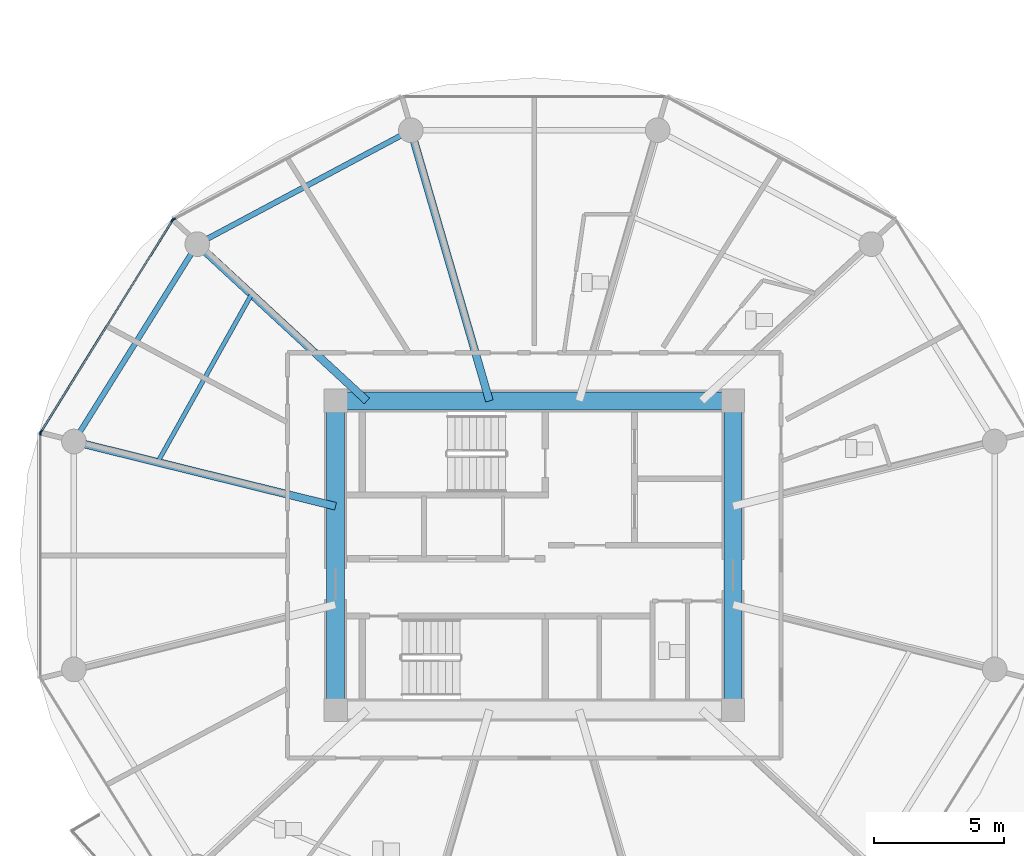
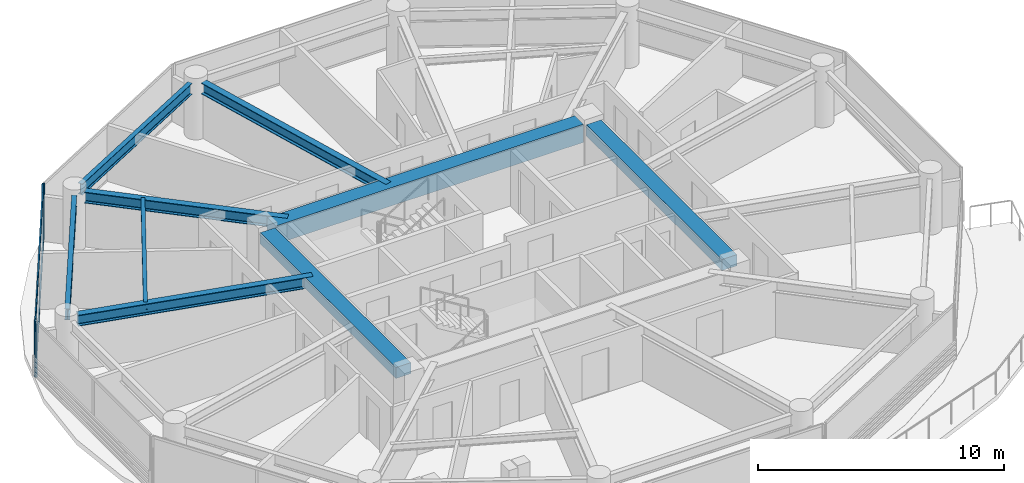
# One storey, part 4 of 27: 9 beams, 6 members, 3 elements without a shape of their own.
"""IFC4 building model written with IfcOpenShell, lengths in metres."""

from ifc_helpers import new_model, si_unit, direction, frame, origin, origin_2d, place, context, subcontext, project, spatial, rectangle, i_section, extrude, source, transform, mapped, material, layer, layer_set, material_profile, profile_set, type_object, type_shapes, element, aggregate, save


model = new_model("IFC4")

# Units and contexts
model_context = context("Model", 3, precision=1e-05, world=origin(), true_north=direction((0.0, 1.0)))
body_context = subcontext(model_context, "Body", "Model", "MODEL_VIEW")
ifc_project = project(units=[si_unit("LENGTHUNIT", "METRE"), si_unit("AREAUNIT", "SQUARE_METRE"), si_unit("VOLUMEUNIT", "CUBIC_METRE"), si_unit("PLANEANGLEUNIT", "RADIAN"), si_unit("MASSUNIT", "GRAM", prefix="KILO")], contexts=[model_context])

# Site, building, storey
site_placement = place(None, origin())
site = spatial("IfcSite", under=ifc_project, at=site_placement, CompositionType="ELEMENT")
building_placement = place(site_placement, origin())
building = spatial("IfcBuilding", under=site, at=building_placement, Name="Norrkilde Senior Care Towers", CompositionType="ELEMENT")
storey_placement = place(building_placement, frame((0.0, 0.0, 52.10009765625)))
storey = spatial("IfcBuildingStorey", under=building, at=storey_placement, Name="L15", CompositionType="ELEMENT", Elevation=52.10009765625)

# Beams
ifc_material_1 = material(Name="Concrete C60/75", Category="concrete")
ifc_material_profile_1 = material_profile(ifc_material_1, rectangle(XDim=0.699951171875, YDim=0.89990234375, at=origin_2d()), Name="RC BM 700x900")
ifc_profile_set_1 = profile_set([ifc_material_profile_1], Name="Concrete C60/75")
beam_type_1 = type_object("IfcBeamType", Name="Core Coupling Girder 700x900", PredefinedType="USERDEFINED", material=ifc_profile_set_1)
shared_shape_1 = source(origin(), body_context, "Body", "SweptSolid", [
    extrude(rectangle(XDim=0.699951171875, YDim=0.89990234375, at=origin_2d()), origin(), (0.0, 0.0, 1.0), 14.43994140625),
])
type_shapes(beam_type_1, [shared_shape_1])
beam_1_placement = place(storey_placement, frame((-35.219970703125, 5.949951171875, 2.33984375), z_axis=(1.0, 0.0, 0.0), x_axis=(0.0, 1.0, 0.0)))
element("IfcBeam", 1, at=beam_1_placement, inside=storey, type_object=beam_type_1, Name="L15 Core W N Coupling Girder", ObjectType="GIRDER", PredefinedType="USERDEFINED", context=body_context, shape_type="MappedRepresentation", body=[
    mapped(shared_shape_1, transform((0.0, 0.0, 0.0), x_axis=(1.0, 0.0, 0.0), y_axis=(0.0, 1.0, 0.0), z_axis=(0.0, 0.0, 1.0), scale=1.0)),
])
ifc_material_profile_2 = material_profile(ifc_material_1, rectangle(XDim=0.699951171875, YDim=0.550048828125, at=origin_2d()), Name="RC BM 700x550")
ifc_profile_set_2 = profile_set([ifc_material_profile_2], Name="Concrete C60/75")
beam_type_2 = type_object("IfcBeamType", Name="Core Portal Coupling Beam 700x550", PredefinedType="USERDEFINED", material=ifc_profile_set_2)
shared_shape_2 = source(origin(), body_context, "Body", "SweptSolid", [
    extrude(rectangle(XDim=0.699951171875, YDim=0.550048828125, at=origin_2d()), origin(), (0.0, 0.0, 1.0), 11.0400390625),
])
type_shapes(beam_type_2, [shared_shape_2])
for number, where, z_axis, x_axis, name in (
    (2, (-35.64990234375, -5.52001953125, 2.514892578125), (0.0, 1.0, 0.0), (-1.0, 0.0, 0.0), "L15 Core W W Coupling Girder"),
    (3, (-20.35009765625, -5.52001953125, 2.514892578125), (0.0, 1.0, 0.0), (-1.0, 0.0, 0.0), "L15 Core W E Coupling Girder"),
):
    element("IfcBeam", number, at=place(storey_placement, frame(where, z_axis=z_axis, x_axis=x_axis)), inside=storey, type_object=beam_type_2, Name=name, ObjectType="GIRDER", PredefinedType="USERDEFINED", context=body_context, shape_type="MappedRepresentation", body=[
        mapped(shared_shape_2, transform((0.0, 0.0, 0.0), x_axis=(1.0, 0.0, 0.0), y_axis=(0.0, 1.0, 0.0), z_axis=(0.0, 0.0, 1.0), scale=1.0)),
    ])
ifc_material_2 = material(Name="Steel S355", Category="steel")
ifc_material_profile_3 = material_profile(ifc_material_2, i_section(OverallWidth=0.2099609375, OverallDepth=0.550048828125, WebThickness=0.010986328125, FlangeThickness=0.01708984375, FilletRadius=0.02392578125, at=origin_2d()), Name="IPE 550")
ifc_profile_set_3 = profile_set([ifc_material_profile_3], Name="Steel S355")
beam_type_3 = type_object("IfcBeamType", Name="Perimeter Ring Spandrel Z1 IPE550", PredefinedType="SPANDREL", material=ifc_profile_set_3)
shared_shape_3 = source(origin(), body_context, "Body", "SweptSolid", [
    extrude(i_section(OverallWidth=0.2099609375, OverallDepth=0.550048828125, WebThickness=0.010986328125, FlangeThickness=0.01708984375, FilletRadius=0.02392578125, at=origin_2d()), origin(), (0.0, 0.0, 1.0), 8.090576171875),
])
beam_2_placement = place(storey_placement, frame((-41.2060546875, 11.61669921875, 2.514892578125), z_axis=(-0.530004364821, -0.84799491347, 0.0), x_axis=(0.84799491347, -0.530004364821, 0.0)))
element("IfcBeam", 4, at=beam_2_placement, inside=storey, type_object=beam_type_3, Name="L15 Drum W Perimeter Spandrel 05", PredefinedType="SPANDREL", context=body_context, shape_type="MappedRepresentation", body=[
    mapped(shared_shape_3, transform((0.0, 0.0, 0.0), x_axis=(1.0, 0.0, 0.0), y_axis=(0.0, 1.0, 0.0), z_axis=(0.0, 0.0, 1.0), scale=1.0)),
])
ifc_material_profile_4 = material_profile(ifc_material_2, i_section(OverallWidth=0.300048828125, OverallDepth=0.550048828125, WebThickness=0.014892578125, FlangeThickness=0.029052734375, FilletRadius=0.027099609375, at=origin_2d()), Name="HEB 550")
ifc_profile_set_4 = profile_set([ifc_material_profile_4], Name="Steel S355")
beam_type_4 = type_object("IfcBeamType", Name="Radial Floor Beam Z1 HEB550", PredefinedType="BEAM", material=ifc_profile_set_4)
shared_shape_4 = source(origin(), body_context, "Body", "SweptSolid", [
    extrude(i_section(OverallWidth=0.300048828125, OverallDepth=0.550048828125, WebThickness=0.014892578125, FlangeThickness=0.029052734375, FilletRadius=0.027099609375, at=origin_2d()), origin(), (0.0, 0.0, 1.0), 9.94384765625),
])
beam_3_placement = place(storey_placement, frame((-35.64990234375, 1.893310546875, 2.514892578125), z_axis=(-0.970707425182, 0.240264634718, 0.0), x_axis=(-0.240264634718, -0.970707425182, 0.0)))
element("IfcBeam", 5, at=beam_3_placement, inside=storey, type_object=beam_type_4, Name="L15 Drum W Radial Floor Beam 06", PredefinedType="BEAM", context=body_context, shape_type="MappedRepresentation", body=[
    mapped(shared_shape_4, transform((0.0, 0.0, 0.0), x_axis=(1.0, 0.0, 0.0), y_axis=(0.0, 1.0, 0.0), z_axis=(0.0, 0.0, 1.0), scale=1.0)),
])
shared_shape_5 = source(origin(), body_context, "Body", "SweptSolid", [
    extrude(i_section(OverallWidth=0.2099609375, OverallDepth=0.550048828125, WebThickness=0.010986328125, FlangeThickness=0.01708984375, FilletRadius=0.02392578125, at=origin_2d()), origin(), (0.0, 0.0, 1.0), 8.452880859375),
])
type_shapes(beam_type_3, [shared_shape_3, shared_shape_5])
beam_4_placement = place(storey_placement, frame((-33.133056640625, 16.167724609375, 2.514892578125), z_axis=(-0.882368931134, -0.470558252898, 0.0), x_axis=(0.470558252898, -0.882368931134, 0.0)))
element("IfcBeam", 6, at=beam_4_placement, inside=storey, type_object=beam_type_3, Name="L15 Drum W Perimeter Spandrel 04", PredefinedType="SPANDREL", context=body_context, shape_type="MappedRepresentation", body=[
    mapped(shared_shape_5, transform((0.0, 0.0, 0.0), x_axis=(1.0, 0.0, 0.0), y_axis=(0.0, 1.0, 0.0), z_axis=(0.0, 0.0, 1.0), scale=1.0)),
])
shared_shape_6 = source(origin(), body_context, "Body", "SweptSolid", [
    extrude(i_section(OverallWidth=0.300048828125, OverallDepth=0.550048828125, WebThickness=0.014892578125, FlangeThickness=0.029052734375, FilletRadius=0.027099609375, at=origin_2d()), origin(), (0.0, 0.0, 1.0), 8.459716796875),
])
beam_5_placement = place(storey_placement, frame((-34.44140625, 5.949951171875, 2.514892578125), z_axis=(-0.734573269108, 0.678529374686, 0.0), x_axis=(-0.678529374686, -0.734573269108, 0.0)))
element("IfcBeam", 7, at=beam_5_placement, inside=storey, type_object=beam_type_4, Name="L15 Drum W Radial Floor Beam 05", PredefinedType="BEAM", context=body_context, shape_type="MappedRepresentation", body=[
    mapped(shared_shape_6, transform((0.0, 0.0, 0.0), x_axis=(1.0, 0.0, 0.0), y_axis=(0.0, 1.0, 0.0), z_axis=(0.0, 0.0, 1.0), scale=1.0)),
])
shared_shape_7 = source(origin(), body_context, "Body", "SweptSolid", [
    extrude(i_section(OverallWidth=0.300048828125, OverallDepth=0.550048828125, WebThickness=0.014892578125, FlangeThickness=0.029052734375, FilletRadius=0.027099609375, at=origin_2d()), origin(), (0.0, 0.0, 1.0), 10.4169921875),
])
type_shapes(beam_type_4, [shared_shape_4, shared_shape_6, shared_shape_7])
beam_6_placement = place(storey_placement, frame((-29.72607421875, 5.949951171875, 2.514892578125), z_axis=(-0.278591250785, 0.960409764104, 0.0), x_axis=(-0.960409764104, -0.278591250785, 0.0)))
element("IfcBeam", 8, at=beam_6_placement, inside=storey, type_object=beam_type_4, Name="L15 Drum W Radial Floor Beam 04", PredefinedType="BEAM", context=body_context, shape_type="MappedRepresentation", body=[
    mapped(shared_shape_7, transform((0.0, 0.0, 0.0), x_axis=(1.0, 0.0, 0.0), y_axis=(0.0, 1.0, 0.0), z_axis=(0.0, 0.0, 1.0), scale=1.0)),
])
ifc_material_profile_5 = material_profile(ifc_material_2, i_section(OverallWidth=0.169921875, OverallDepth=0.360107421875, WebThickness=0.008056640625, FlangeThickness=0.0126953125, FilletRadius=0.01806640625, at=origin_2d()), Name="IPE 360")
ifc_profile_set_5 = profile_set([ifc_material_profile_5], Name="Steel S355")
beam_type_5 = type_object("IfcBeamType", Name="Secondary Floor Joist IPE360", PredefinedType="JOIST", material=ifc_profile_set_5)
shared_shape_8 = source(origin(), body_context, "Body", "SweptSolid", [
    extrude(i_section(OverallWidth=0.169921875, OverallDepth=0.360107421875, WebThickness=0.008056640625, FlangeThickness=0.0126953125, FilletRadius=0.01806640625, at=origin_2d()), origin(), (0.0, 0.0, 1.0), 7.40771484375),
])
type_shapes(beam_type_5, [shared_shape_8])
beam_7_placement = place(storey_placement, frame((-38.884521484375, 10.05419921875, 2.60986328125), z_axis=(-0.488167754092, -0.872749817453, 0.0), x_axis=(0.872749817453, -0.488167754092, 0.0)))
element("IfcBeam", 9, at=beam_7_placement, inside=storey, type_object=beam_type_5, Name="L15 Drum W Secondary Floor Joist 2", PredefinedType="JOIST", context=body_context, shape_type="MappedRepresentation", body=[
    mapped(shared_shape_8, transform((0.0, 0.0, 0.0), x_axis=(1.0, 0.0, 0.0), y_axis=(0.0, 1.0, 0.0), z_axis=(0.0, 0.0, 1.0), scale=1.0)),
])

# Curtain wall, member
ifc_material_3 = material(Name="Triple Low-E Insulated Glazing", Category="glass")
ifc_layer = layer(ifc_material_3, 0.199951171875)
ifc_layer_set = layer_set([ifc_layer], Name="Triple Low-E Insulated Glazing")
curtain_wall_type = type_object("IfcCurtainWallType", Name="CW2 Zone 1 Memory Care Curtain Wall", PredefinedType="NOTDEFINED", material=ifc_layer_set)
curtain_wall_1_placement = place(storey_placement, origin())
curtain_wall_1 = element("IfcCurtainWall", 10, at=curtain_wall_1_placement, inside=storey, type_object=curtain_wall_type, Name="L15 Drum W Curtain Wall 03", PredefinedType="NOTDEFINED")
ifc_material_4 = material(Name="Anodised Aluminium", Category="aluminium")
ifc_material_profile_6 = material_profile(ifc_material_4, rectangle(XDim=0.06494140625, YDim=0.159912109375, at=origin_2d()), Name="ALU MULL 65x160")
ifc_profile_set_6 = profile_set([ifc_material_profile_6], Name="Anodised Aluminium")
member_type_1 = type_object("IfcMemberType", Name="Curtain Wall Mullion Z1-Z2 65x160", PredefinedType="MULLION", material=ifc_profile_set_6)
shared_shape_9 = source(origin(), body_context, "Body", "SweptSolid", [
    extrude(rectangle(XDim=0.06494140625, YDim=0.159912109375, at=origin_2d()), origin(), (0.0, 0.0, 1.0), 2.789794921875),
])
type_shapes(member_type_1, [shared_shape_9])
member_1_placement = place(storey_placement, frame((-41.88720703125, 12.941162109375, 0.0), z_axis=(0.0, 0.0, 1.0), x_axis=(-0.472607802456, 0.881272866403, 0.0)))
member_1 = element("IfcMember", 11, at=member_1_placement, type_object=member_type_1, Name="CW-2 mullion 1", PredefinedType="MULLION", context=body_context, shape_type="MappedRepresentation", body=[
    mapped(shared_shape_9, transform((0.0, 0.0, 0.0), x_axis=(1.0, 0.0, 0.0), y_axis=(0.0, 1.0, 0.0), z_axis=(0.0, 0.0, 1.0), scale=1.0)),
])
aggregate(curtain_wall_1, [member_1])

# Curtain wall, members
curtain_wall_2_placement = place(storey_placement, origin())
curtain_wall_2 = element("IfcCurtainWall", 12, at=curtain_wall_2_placement, inside=storey, type_object=curtain_wall_type, Name="L15 Drum W Curtain Wall 04", PredefinedType="NOTDEFINED")
member_2_placement = place(storey_placement, frame((-46.9921875, 4.7587890625, 0.0), z_axis=(0.0, 0.0, 1.0), x_axis=(-0.849305943117, 0.527900951871, 0.0)))
member_2 = element("IfcMember", 13, at=member_2_placement, type_object=member_type_1, Name="CW-2 mullion 1", PredefinedType="MULLION", context=body_context, shape_type="MappedRepresentation", body=[
    mapped(shared_shape_9, transform((0.0, 0.0, 0.0), x_axis=(1.0, 0.0, 0.0), y_axis=(0.0, 1.0, 0.0), z_axis=(0.0, 0.0, 1.0), scale=1.0)),
])
member_3_placement = place(storey_placement, frame((-41.93310546875, 12.898193359375, 0.0), z_axis=(0.0, 0.0, 1.0), x_axis=(-0.849305943117, 0.527900951871, 0.0)))
member_3 = element("IfcMember", 14, at=member_3_placement, type_object=member_type_1, Name="CW-2 mullion 2", PredefinedType="MULLION", context=body_context, shape_type="MappedRepresentation", body=[
    mapped(shared_shape_9, transform((0.0, 0.0, 0.0), x_axis=(1.0, 0.0, 0.0), y_axis=(0.0, 1.0, 0.0), z_axis=(0.0, 0.0, 1.0), scale=1.0)),
])

# Curtain wall, member
curtain_wall_3_placement = place(storey_placement, origin())
curtain_wall_3 = element("IfcCurtainWall", 15, at=curtain_wall_3_placement, inside=storey, type_object=curtain_wall_type, Name="L15 Drum W Curtain Wall 05", PredefinedType="NOTDEFINED")
member_4_placement = place(storey_placement, frame((-47.009521484375, 4.69873046875, 0.0), z_axis=(0.0, 0.0, 1.0), x_axis=(-1.0, 0.0, 0.0)))
member_4 = element("IfcMember", 16, at=member_4_placement, type_object=member_type_1, Name="CW-2 mullion 2", PredefinedType="MULLION", context=body_context, shape_type="MappedRepresentation", body=[
    mapped(shared_shape_9, transform((0.0, 0.0, 0.0), x_axis=(1.0, 0.0, 0.0), y_axis=(0.0, 1.0, 0.0), z_axis=(0.0, 0.0, 1.0), scale=1.0)),
])
aggregate(curtain_wall_3, [member_4])

# Member
ifc_material_profile_7 = material_profile(ifc_material_4, rectangle(XDim=0.06005859375, YDim=0.1201171875, at=origin_2d()), Name="ALU TRAN 60x120")
ifc_profile_set_7 = profile_set([ifc_material_profile_7], Name="Anodised Aluminium")
member_type_2 = type_object("IfcMemberType", Name="Curtain Wall Transom Typical 60x120", PredefinedType="USERDEFINED", material=ifc_profile_set_7)
shared_shape_10 = source(origin(), body_context, "Body", "SweptSolid", [
    extrude(rectangle(XDim=0.06005859375, YDim=0.1201171875, at=origin_2d()), origin(), (0.0, 0.0, 1.0), 9.5185546875),
])
type_shapes(member_type_2, [shared_shape_10])
member_5_placement = place(storey_placement, frame((-46.97509765625, 4.786376953125, 0.02978515625), z_axis=(0.527901620669, 0.849305527413, 0.0), x_axis=(-0.849305527413, 0.527901620669, 0.0)))
member_5 = element("IfcMember", 17, at=member_5_placement, type_object=member_type_2, Name="CW-2 transom 1.1", ObjectType="TRANSOM", PredefinedType="USERDEFINED", context=body_context, shape_type="MappedRepresentation", body=[
    mapped(shared_shape_10, transform((0.0, 0.0, 0.0), x_axis=(1.0, 0.0, 0.0), y_axis=(0.0, 1.0, 0.0), z_axis=(0.0, 0.0, 1.0), scale=1.0)),
])

member_6_placement = place(storey_placement, frame((-46.97509765625, 4.786376953125, 2.760009765625), z_axis=(0.527901620669, 0.849305527413, 0.0), x_axis=(-0.849305527413, 0.527901620669, 0.0)))
member_6 = element("IfcMember", 18, at=member_6_placement, type_object=member_type_2, Name="CW-2 transom 1.2", ObjectType="TRANSOM", PredefinedType="USERDEFINED", context=body_context, shape_type="MappedRepresentation", body=[
    mapped(shared_shape_10, transform((0.0, 0.0, 0.0), x_axis=(1.0, 0.0, 0.0), y_axis=(0.0, 1.0, 0.0), z_axis=(0.0, 0.0, 1.0), scale=1.0)),
])

aggregate(curtain_wall_2, [member_2, member_3, member_5, member_6])

save(model, "model.ifc")
